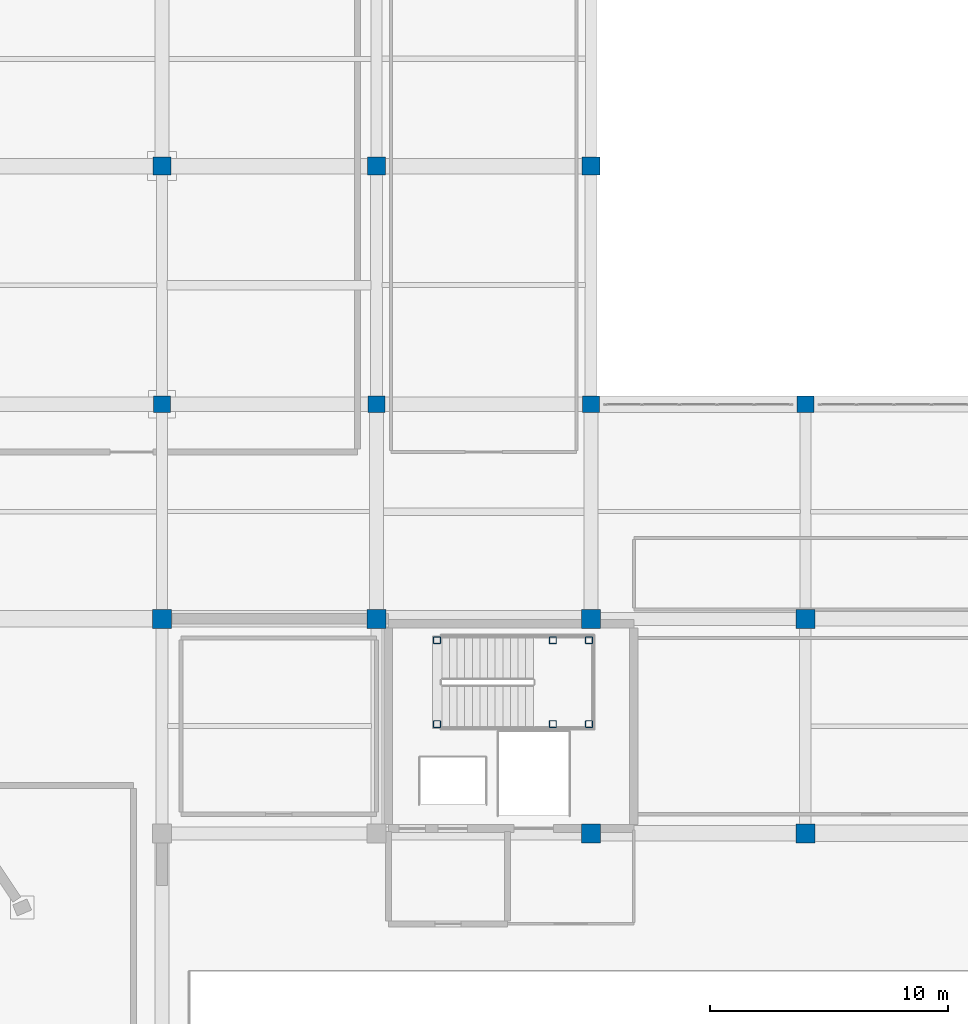
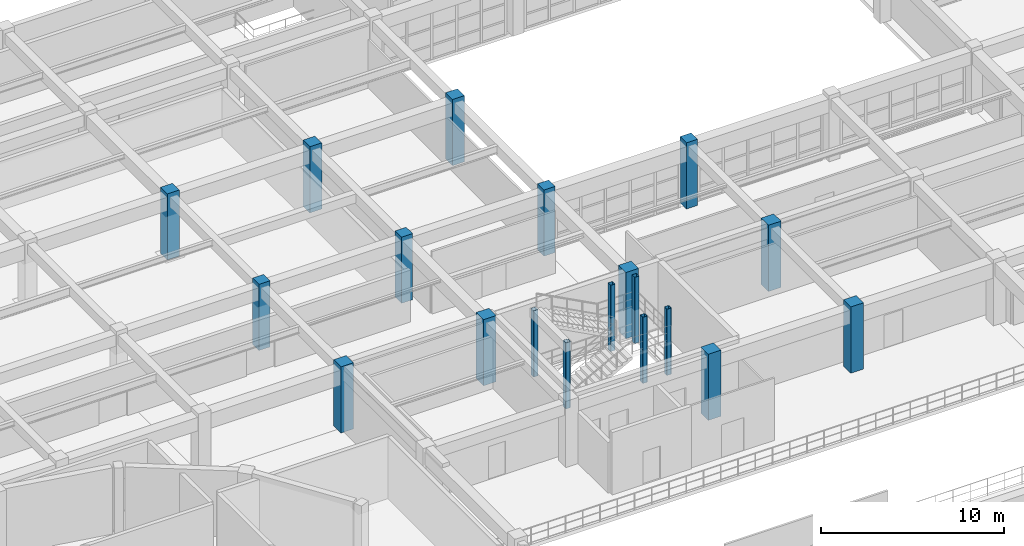
# One storey, part 11 of 133: 19 columns.
"""IFC4 building model written with IfcOpenShell, lengths in metres."""

from ifc_helpers import new_model, si_unit, direction, frame, origin, origin_2d, place, context, subcontext, project, spatial, rectangle, hollow_rectangle, extrude, material, material_profile, profile_set, type_object, element, save


model = new_model("IFC4")

# Units and contexts
model_context = context("Model", 3, precision=1e-05, world=origin(), true_north=direction((0.0, 1.0)))
body_context = subcontext(model_context, "Body", "Model", "MODEL_VIEW")
ifc_project = project(units=[si_unit("LENGTHUNIT", "METRE"), si_unit("AREAUNIT", "SQUARE_METRE"), si_unit("VOLUMEUNIT", "CUBIC_METRE"), si_unit("PLANEANGLEUNIT", "RADIAN"), si_unit("MASSUNIT", "GRAM", prefix="KILO")], contexts=[model_context])

# Site, building, storey
site_placement = place(None, origin())
site = spatial("IfcSite", under=ifc_project, at=site_placement, CompositionType="ELEMENT")
building_placement = place(site_placement, origin())
building = spatial("IfcBuilding", under=site, at=building_placement, Name="Miravela Opera House", CompositionType="ELEMENT")
storey_placement = place(building_placement, frame((0.0, 0.0, 5.10009765625)))
storey = spatial("IfcBuildingStorey", under=building, at=storey_placement, Name="L01", CompositionType="ELEMENT", Elevation=5.10009765625)

# Columns
ifc_material_1 = material(Name="Hollow structural steel ASTM A500 Gr. C", Category="steel")
ifc_material_profile_1 = material_profile(ifc_material_1, hollow_rectangle(XDim=0.300048828125, YDim=0.300048828125, WallThickness=0.01611328125, InnerFilletRadius=0.01611328125, OuterFilletRadius=0.031982421875, at=origin_2d()), Name="HSS300X300X16")
ifc_profile_set_1 = profile_set([ifc_material_profile_1])
column_type_1 = type_object("IfcColumnType", Name="STR-COL-HSS300", PredefinedType="COLUMN", material=ifc_profile_set_1)
for number, where, z_axis, x_axis, name in (
    (1, (110.5400390625, 70.580078125, 0.0), (0.0, 0.0, 1.0), (1.0, 0.0, 0.0), "Stair K3 Landing Support Column 1 (L01)"),
    (2, (110.5400390625, 74.10009765625, 0.0), (0.0, 0.0, 1.0), (1.0, 0.0, 0.0), "Stair K3 Landing Support Column 2 (L01)"),
    (3, (115.39990234375, 70.580078125, 0.0), (0.0, 0.0, 1.0), (1.0, 0.0, 0.0), "Stair K3 Landing Support Column 3 (L01)"),
    (4, (115.39990234375, 74.10009765625, 0.0), (0.0, 0.0, 1.0), (1.0, 0.0, 0.0), "Stair K3 Landing Support Column 4 (L01)"),
    (5, (116.919921875, 70.580078125, 0.0), (0.0, 0.0, 1.0), (1.0, 0.0, 0.0), "Stair K3 Landing Support Column 5 (L01)"),
    (6, (116.919921875, 74.10009765625, 0.0), (0.0, 0.0, 1.0), (1.0, 0.0, 0.0), "Stair K3 Landing Support Column 6 (L01)"),
):
    element("IfcColumn", number, at=place(storey_placement, frame(where, z_axis=z_axis, x_axis=x_axis)), inside=storey, type_object=column_type_1, Name=name, PredefinedType="COLUMN", context=body_context, shape_type="SweptSolid", body=[
        extrude(hollow_rectangle(XDim=0.300048828125, YDim=0.300048828125, WallThickness=0.01611328125, InnerFilletRadius=0.01611328125, OuterFilletRadius=0.031982421875, at=origin_2d()), origin(), (0.0, 0.0, 1.0), 4.419921875),
    ])
ifc_material_2 = material(Name="Concrete C35/45", Category="concrete")
ifc_material_profile_2 = material_profile(ifc_material_2, rectangle(XDim=0.699951171875, YDim=0.699951171875, at=origin_2d()), Name="RC-COL-700X700")
ifc_profile_set_2 = profile_set([ifc_material_profile_2])
column_type_2 = type_object("IfcColumnType", Name="STR-COL-RC700", PredefinedType="COLUMN", material=ifc_profile_set_2)
for number, where, z_axis, x_axis, name in (
    (7, (99.0, 84.0, 0.0), (0.0, 0.0, 1.0), (1.0, 0.0, 0.0), "Column C-12J (L01)"),
    (8, (108.0, 84.0, 0.0), (0.0, 0.0, 1.0), (1.0, 0.0, 0.0), "Column C-13J (L01)"),
    (9, (117.0, 84.0, 0.0), (0.0, 0.0, 1.0), (1.0, 0.0, 0.0), "Column C-14J (L01)"),
    (10, (126.0, 84.0, 0.0), (0.0, 0.0, 1.0), (1.0, 0.0, 0.0), "Column C-15J (L01)"),
):
    element("IfcColumn", number, at=place(storey_placement, frame(where, z_axis=z_axis, x_axis=x_axis)), inside=storey, type_object=column_type_2, Name=name, PredefinedType="COLUMN", context=body_context, shape_type="SweptSolid", body=[
        extrude(rectangle(XDim=0.699951171875, YDim=0.699951171875, at=origin_2d()), origin(), (0.0, 0.0, 1.0), 4.419921875),
    ])
ifc_material_profile_3 = material_profile(ifc_material_2, rectangle(XDim=0.75, YDim=0.75, at=origin_2d()), Name="RC-COL-750X750")
ifc_profile_set_3 = profile_set([ifc_material_profile_3])
column_type_3 = type_object("IfcColumnType", Name="STR-COL-RC750", PredefinedType="COLUMN", material=ifc_profile_set_3)
for number, where, z_axis, x_axis, name in (
    (11, (99.0, 94.0, 0.0), (0.0, 0.0, 1.0), (1.0, 0.0, 0.0), "Column C-12K (L01)"),
    (12, (108.0, 94.0, 0.0), (0.0, 0.0, 1.0), (1.0, 0.0, 0.0), "Column C-13K (L01)"),
    (13, (117.0, 94.0, 0.0), (0.0, 0.0, 1.0), (1.0, 0.0, 0.0), "Column C-14K (L01)"),
):
    element("IfcColumn", number, at=place(storey_placement, frame(where, z_axis=z_axis, x_axis=x_axis)), inside=storey, type_object=column_type_3, Name=name, PredefinedType="COLUMN", context=body_context, shape_type="SweptSolid", body=[
        extrude(rectangle(XDim=0.75, YDim=0.75, at=origin_2d()), origin(), (0.0, 0.0, 1.0), 4.419921875),
    ])
ifc_material_3 = material(Name="Concrete C40/50", Category="concrete")
ifc_material_profile_4 = material_profile(ifc_material_3, rectangle(XDim=0.800048828125, YDim=0.800048828125, at=origin_2d()), Name="RC-COL-800X800")
ifc_profile_set_4 = profile_set([ifc_material_profile_4])
column_type_4 = type_object("IfcColumnType", Name="STR-COL-RC800", PredefinedType="COLUMN", material=ifc_profile_set_4)
for number, where, z_axis, x_axis, name in (
    (14, (99.0, 75.0, 0.0), (0.0, 0.0, 1.0), (1.0, 0.0, 0.0), "Column C-12I (L01)"),
    (15, (108.0, 75.0, 0.0), (0.0, 0.0, 1.0), (1.0, 0.0, 0.0), "Column C-13I (L01)"),
    (16, (117.0, 66.0, 0.0), (0.0, 0.0, 1.0), (1.0, 0.0, 0.0), "Column C-14H (L01)"),
    (17, (117.0, 75.0, 0.0), (0.0, 0.0, 1.0), (1.0, 0.0, 0.0), "Column C-14I (L01)"),
    (18, (126.0, 66.0, 0.0), (0.0, 0.0, 1.0), (1.0, 0.0, 0.0), "Column C-15H (L01)"),
    (19, (126.0, 75.0, 0.0), (0.0, 0.0, 1.0), (1.0, 0.0, 0.0), "Column C-15I (L01)"),
):
    element("IfcColumn", number, at=place(storey_placement, frame(where, z_axis=z_axis, x_axis=x_axis)), inside=storey, type_object=column_type_4, Name=name, PredefinedType="COLUMN", context=body_context, shape_type="SweptSolid", body=[
        extrude(rectangle(XDim=0.800048828125, YDim=0.800048828125, at=origin_2d()), origin(), (0.0, 0.0, 1.0), 4.419921875),
    ])

save(model, "model.ifc")
